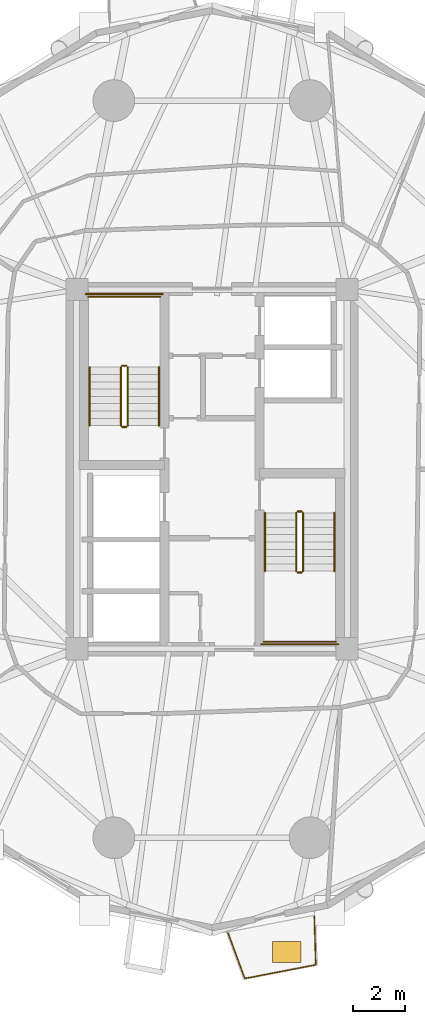
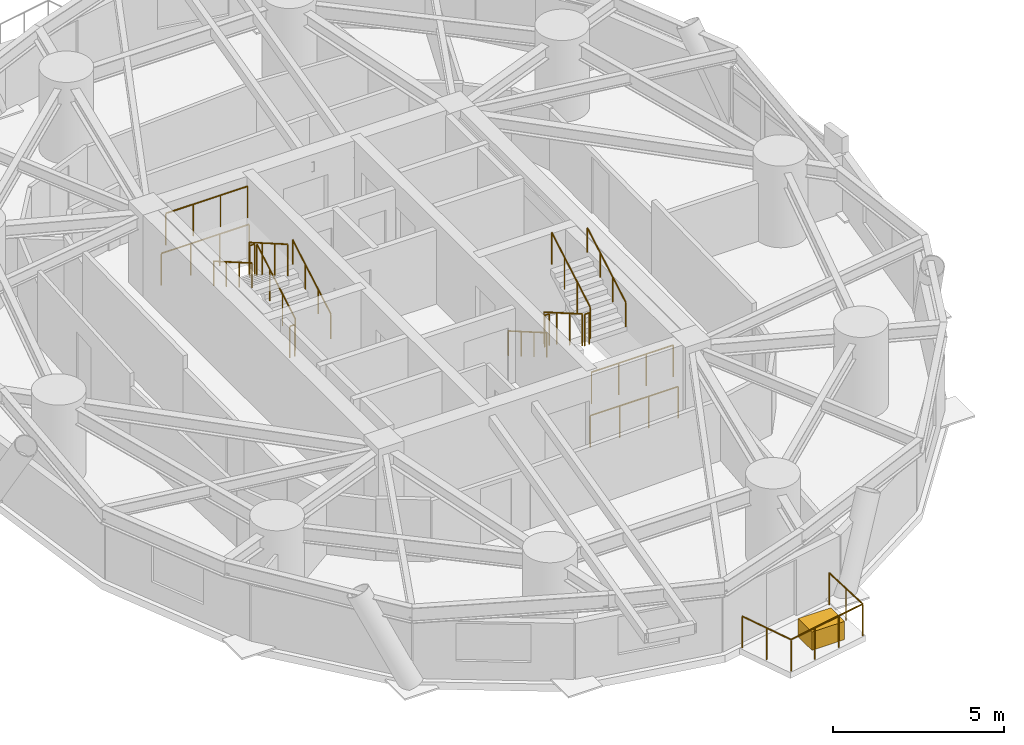
# One storey, part 16 of 18: 17 railings, 1 covering.
"""IFC4 building model written with IfcOpenShell, lengths in metres."""

import ifcopenshell
import ifcopenshell.guid

model = None  # the IFC model being written
_history = None  # IfcOwnerHistory: only IFC2X3 demands one
_inside = {}  # id of a spatial element -> (the spatial element, [elements in it])
_under = {}  # id of a project, library or spatial element -> (it, [spatial elements below it])
_declared = {}  # id of a project -> (the project, [libraries it declares])
_typed = {}  # id of a type object -> (the type object, [elements of that type])
_made_of = {}  # id of a material, layer set ... -> (it, [elements and type objects made of it])


def new_model(schema):
    """Start an empty IFC model of exactly this schema.

    Asked for "IFC4X3", IfcOpenShell would pick the latest addendum, in which some entities
    have other attributes; the version numbers below select the first issue.
    IFC2X3 requires an IfcOwnerHistory on every rooted entity: one is made here for all.
    """
    global model, _history
    if schema == "IFC4X3":
        model = ifcopenshell.file(schema_version=(4, 3, 0, 0))
    else:
        model = ifcopenshell.file(schema=schema)
    _inside.clear()
    _under.clear()
    _declared.clear()
    _typed.clear()
    _made_of.clear()
    _history = None
    if model.schema == "IFC2X3":
        org = make("IfcOrganization", Name="unknown")
        user = make(
            "IfcPersonAndOrganization",
            ThePerson=make("IfcPerson", FamilyName="unknown"),
            TheOrganization=org,
        )
        app = make(
            "IfcApplication",
            ApplicationDeveloper=org,
            Version="unknown",
            ApplicationFullName="unknown",
            ApplicationIdentifier="unknown",
        )
        _history = make(
            "IfcOwnerHistory",
            OwningUser=user,
            OwningApplication=app,
            ChangeAction="ADDED",
            CreationDate=0,
        )
    return model


def make(cls, **values):
    """One entity of the class cls with the attributes given. An attribute that is None is left unset."""
    return model.create_entity(
        cls, **{name: value for name, value in values.items() if value is not None}
    )


def rooted(cls, **values):
    """An entity with a GlobalId (a new one), such as an element, a storey or a relation."""
    return make(cls, GlobalId=ifcopenshell.guid.new(), OwnerHistory=_history, **values)


def si_unit(unit_type, name, prefix=None):
    """IfcSIUnit, for example si_unit("LENGTHUNIT", "METRE", prefix="MILLI")."""
    return make("IfcSIUnit", UnitType=unit_type, Prefix=prefix, Name=name)


def assignment(units):
    """IfcUnitAssignment: the units of a project."""
    return None if units is None else make("IfcUnitAssignment", Units=units)


def point(xyz):
    """IfcCartesianPoint."""
    return None if xyz is None else make("IfcCartesianPoint", Coordinates=xyz)


def direction(xyz):
    """IfcDirection."""
    return None if xyz is None else make("IfcDirection", DirectionRatios=xyz)


def frame(location, z_axis=None, x_axis=None):
    """IfcAxis2Placement3D, a coordinate frame: its origin and axes. An axis left out is left unset."""
    return make(
        "IfcAxis2Placement3D",
        Location=point(location),
        Axis=direction(z_axis),
        RefDirection=direction(x_axis),
    )


def frame_2d(location, x_axis=None):
    """IfcAxis2Placement2D, a coordinate frame in the plane: its origin and x axis."""
    return make(
        "IfcAxis2Placement2D", Location=point(location), RefDirection=direction(x_axis)
    )


def origin():
    """The frame at (0, 0, 0) with its axes left unset."""
    return frame((0.0, 0.0, 0.0))


def origin_2d():
    """The frame at (0, 0) in the plane with its x axis left unset."""
    return frame_2d((0.0, 0.0))


def place(relative_to, where):
    """IfcLocalPlacement: puts the frame where relative to a parent placement (None: the world)."""
    return make(
        "IfcLocalPlacement", PlacementRelTo=relative_to, RelativePlacement=where
    )


def context(
    kind, dimensions, precision=None, world=None, true_north=None, identifier=None
):
    """IfcGeometricRepresentationContext, for example the 3D "Model" context."""
    return make(
        "IfcGeometricRepresentationContext",
        ContextIdentifier=identifier,
        ContextType=kind,
        CoordinateSpaceDimension=dimensions,
        Precision=precision,
        WorldCoordinateSystem=world,
        TrueNorth=true_north,
    )


def subcontext(parent, identifier, kind, view, scale=None):
    """IfcGeometricRepresentationSubContext, for example "Body" below "Model"."""
    return make(
        "IfcGeometricRepresentationSubContext",
        ContextIdentifier=identifier,
        ContextType=kind,
        ParentContext=parent,
        TargetScale=scale,
        TargetView=view,
    )


def project(units=None, contexts=None):
    """IfcProject with its units and contexts."""
    return rooted(
        "IfcProject",
        Name="project",
        RepresentationContexts=contexts,
        UnitsInContext=assignment(units),
    )


def spatial(cls, under=None, at=None, **own):
    """A site, building, storey or space (cls), placed at a placement, below another one or the project."""
    s = rooted(cls, ObjectPlacement=at, **own)
    if under is not None:
        _under.setdefault(under.id(), (under, []))[1].append(s)
    return s


def profile(cls, at=None, kind="AREA", **sizes):
    """A parametric profile (cls). Its sizes go by their IFC names, for example OverallWidth=200.0."""
    return make(cls, ProfileType=kind, Position=at, **sizes)


def rectangle(**sizes):
    """IfcRectangleProfileDef."""
    return profile("IfcRectangleProfileDef", **sizes)


def circle(**sizes):
    """IfcCircleProfileDef."""
    return profile("IfcCircleProfileDef", **sizes)


def extrude(swept, where, along, depth):
    """IfcExtrudedAreaSolid: the profile swept, set in the frame where, extruded along a direction by depth."""
    return make(
        "IfcExtrudedAreaSolid",
        SweptArea=swept,
        Position=where,
        ExtrudedDirection=direction(along),
        Depth=depth,
    )


def shape(context_of_items, identifier, shape_type, items):
    """IfcShapeRepresentation: the items that make up one representation, for example the "Body"."""
    return make(
        "IfcShapeRepresentation",
        ContextOfItems=context_of_items,
        RepresentationIdentifier=identifier,
        RepresentationType=shape_type,
        Items=items,
    )


def source(mapping_origin, context_of_items, identifier, shape_type, items):
    """IfcRepresentationMap: a shape defined once, which mapped items show again and again."""
    return make(
        "IfcRepresentationMap",
        MappingOrigin=mapping_origin,
        MappedRepresentation=shape(context_of_items, identifier, shape_type, items),
    )


def transform(
    local_origin,
    x_axis=None,
    y_axis=None,
    z_axis=None,
    scale=None,
    scale2=None,
    scale3=None,
    uniform=True,
):
    """IfcCartesianTransformationOperator3D, or its non-uniform kind. x_axis, y_axis, z_axis: its Axis1, 2, 3."""
    if uniform:
        return make(
            "IfcCartesianTransformationOperator3D",
            Axis1=direction(x_axis),
            Axis2=direction(y_axis),
            LocalOrigin=point(local_origin),
            Scale=scale,
            Axis3=direction(z_axis),
        )
    return make(
        "IfcCartesianTransformationOperator3DnonUniform",
        Axis1=direction(x_axis),
        Axis2=direction(y_axis),
        LocalOrigin=point(local_origin),
        Scale=scale,
        Axis3=direction(z_axis),
        Scale2=scale2,
        Scale3=scale3,
    )


def mapped(mapping_source, mapping_target):
    """IfcMappedItem: shows the shape of a source again, moved by a transform."""
    return make(
        "IfcMappedItem", MappingSource=mapping_source, MappingTarget=mapping_target
    )


def material(Name=None, Category=None):
    """IfcMaterial."""
    return make("IfcMaterial", Name=Name, Category=Category)


def layer(
    of_material, thickness, ventilated=None, Name=None, Category=None, Priority=None
):
    """IfcMaterialLayer: one layer of a wall or slab, of a material (None: an air gap)."""
    return make(
        "IfcMaterialLayer",
        Material=of_material,
        LayerThickness=thickness,
        IsVentilated=ventilated,
        Name=Name,
        Category=Category,
        Priority=Priority,
    )


def layer_set(layers, Name=None):
    """IfcMaterialLayerSet."""
    return make("IfcMaterialLayerSet", MaterialLayers=layers, LayerSetName=Name)


def made_of(thing, what):
    """Note that an element or type object is made of a material, layer set ...; save() writes the relation."""
    if what is not None:
        _made_of.setdefault(what.id(), (what, []))[1].append(thing)
    return thing


def type_object(cls, material=None, **own):
    """A type object (cls), such as IfcWallType, which elements share."""
    return made_of(rooted(cls, **own), material)


def element(
    cls,
    number,
    at=None,
    inside=None,
    cuts=None,
    type_object=None,
    material=None,
    context=None,
    identifier="Body",
    shape_type=None,
    held_by="IfcProductDefinitionShape",
    body=None,
    shapes=None,
    **own,
):
    """One element of the class cls, such as IfcWall. Its Tag is "e" and its number.

    at: its placement. inside: the storey or other place that contains it. cuts: it is an
    opening in that element (IfcRelVoidsElement). A single representation is given by context,
    identifier, shape_type and body (its items); several are given by shapes. held_by: the class
    of the entity that holds the representations. save() writes the other relations.
    """
    e = rooted(cls, Tag="e%d" % number, ObjectPlacement=at, **own)
    if body is not None:
        shapes = [shape(context, identifier, shape_type, body)]
    if shapes is not None:
        e.Representation = make(held_by, Representations=shapes)
    if inside is not None:
        _inside.setdefault(inside.id(), (inside, []))[1].append(e)
    if cuts is not None:
        rooted(
            "IfcRelVoidsElement", RelatingBuildingElement=cuts, RelatedOpeningElement=e
        )
    if type_object is not None:
        _typed.setdefault(type_object.id(), (type_object, []))[1].append(e)
    return made_of(e, material)


def aggregate(whole, parts):
    """IfcRelAggregates: a whole, such as a stair, and the parts it consists of."""
    return rooted("IfcRelAggregates", RelatingObject=whole, RelatedObjects=parts)


def save(model, path):
    """Write the relations noted so far, then the file.

    IfcRelAggregates (storeys below a building ...), IfcRelContainedInSpatialStructure (elements
    in a storey), IfcRelDefinesByType, IfcRelAssociatesMaterial and IfcRelDeclares: one each for
    every whole, place, type object, material and project.
    """
    for whole, parts in _under.values():
        aggregate(whole, parts)
    for where, things in _inside.values():
        rooted(
            "IfcRelContainedInSpatialStructure",
            RelatedElements=things,
            RelatingStructure=where,
        )
    for kind, things in _typed.values():
        rooted("IfcRelDefinesByType", RelatedObjects=things, RelatingType=kind)
    for what, things in _made_of.values():
        rooted("IfcRelAssociatesMaterial", RelatedObjects=things, RelatingMaterial=what)
    for by, libraries in _declared.values():
        rooted("IfcRelDeclares", RelatingContext=by, RelatedDefinitions=libraries)
    model.write(path)


model = new_model("IFC4")

# Units and contexts
model_context = context("Model", 3, precision=1e-05, world=origin(), true_north=direction((0.0, 1.0)))
body_context = subcontext(model_context, "Body", "Model", "MODEL_VIEW")
ifc_project = project(units=[si_unit("LENGTHUNIT", "METRE"), si_unit("AREAUNIT", "SQUARE_METRE"), si_unit("VOLUMEUNIT", "CUBIC_METRE"), si_unit("PLANEANGLEUNIT", "RADIAN"), si_unit("MASSUNIT", "GRAM", prefix="KILO")], contexts=[model_context])

# Site, building, storey
site_placement = place(None, origin())
site = spatial("IfcSite", under=ifc_project, at=site_placement, CompositionType="ELEMENT")
building_placement = place(site_placement, origin())
building = spatial("IfcBuilding", under=site, at=building_placement, Name="Cununo Teusaquillo Station Towers", CompositionType="ELEMENT")
storey_placement = place(building_placement, frame((0.0, 0.0, 22.0)))
storey = spatial("IfcBuildingStorey", under=building, at=storey_placement, Name="L05", CompositionType="ELEMENT", Elevation=22.0)

# Railings
ifc_material_1 = material(Name="Anodised dark bronze aluminium EN AW-6063-T6", Category="aluminium")
railing_type_1 = type_object("IfcRailingType", Name="RL-EXT-GUARD", PredefinedType="GUARDRAIL", material=ifc_material_1)
railing_1_placement = place(storey_placement, frame((20.42041015625, 7.36328125, 0.0)))
element("IfcRailing", 1, at=railing_1_placement, inside=storey, type_object=railing_type_1, Name="L05 Tower A Balcony Guardrail C15", PredefinedType="GUARDRAIL", context=body_context, shape_type="SweptSolid", body=[
    extrude(circle(Radius=0.02392578125, at=origin_2d()), frame((0.0, 0.0, 1.1259765625), z_axis=(0.030512102658, -0.999534397403, 0.0), x_axis=(0.999534397403, 0.030512102658, 0.0)), (0.0, 0.0, 1.0), 1.8564453125),
    extrude(circle(Radius=0.02392578125, at=origin_2d()), frame((0.056640625, -1.85546875, 1.1259765625), z_axis=(-0.981830711399, -0.189758936954, 0.0), x_axis=(0.189758936954, -0.981830711399, 0.0)), (0.0, 0.0, 1.0), 2.771240234375),
    extrude(circle(Radius=0.02392578125, at=origin_2d()), frame((-2.664306640625, -2.38134765625, 1.1259765625), z_axis=(-0.344138729678, 0.938918811578, 0.0), x_axis=(-0.938918811578, -0.344138729678, 0.0)), (0.0, 0.0, 1.0), 1.8564453125),
    extrude(circle(Radius=0.02099609375, at=origin_2d()), origin(), (0.0, 0.0, 1.0), 1.101806640625),
    extrude(circle(Radius=0.02099609375, at=origin_2d()), frame((0.0283203125, -0.927734375, 0.0)), (0.0, 0.0, 1.0), 1.101806640625),
    extrude(circle(Radius=0.02099609375, at=origin_2d()), frame((0.056640625, -1.85546875, 0.0)), (0.0, 0.0, 1.0), 1.101806640625),
    extrude(circle(Radius=0.02099609375, at=origin_2d()), frame((-0.850341796875, -2.03076171875, 0.0)), (0.0, 0.0, 1.0), 1.101806640625),
    extrude(circle(Radius=0.02099609375, at=origin_2d()), frame((-1.75732421875, -2.2060546875, 0.0)), (0.0, 0.0, 1.0), 1.101806640625),
    extrude(circle(Radius=0.02099609375, at=origin_2d()), frame((-2.664306640625, -2.38134765625, 0.0)), (0.0, 0.0, 1.0), 1.101806640625),
    extrude(circle(Radius=0.02099609375, at=origin_2d()), frame((-2.98388671875, -1.509765625, 0.0)), (0.0, 0.0, 1.0), 1.101806640625),
    extrude(circle(Radius=0.02099609375, at=origin_2d()), frame((-3.30322265625, -0.63818359375, 0.0)), (0.0, 0.0, 1.0), 1.101806640625),
])
ifc_material_2 = material(Name="Steel EN 10025-2 S355J2", Category="steel")
railing_type_2 = type_object("IfcRailingType", Name="RL-INT-GUARD", PredefinedType="GUARDRAIL", material=ifc_material_2)
railing_2_placement = place(storey_placement, frame((13.27001953125, 26.169921875, 0.16162109375)))
element("IfcRailing", 2, at=railing_2_placement, inside=storey, type_object=railing_type_2, Name="L05 ST-T1-1 stair guard 1", PredefinedType="GUARDRAIL", context=body_context, shape_type="SweptSolid", body=[
    extrude(circle(Radius=0.02392578125, at=origin_2d()), frame((0.0, 0.0, 1.1259765625), z_axis=(0.0, 0.865992244559, 0.500057429065), x_axis=(-1.0, 0.0, 0.0)), (0.0, 0.0, 1.0), 2.586669921875),
    extrude(circle(Radius=0.02099609375, at=origin_2d()), origin(), (0.0, 0.0, 1.0), 1.101806640625),
    extrude(circle(Radius=0.02099609375, at=origin_2d()), frame((0.0, 0.74658203125, 0.43115234375)), (0.0, 0.0, 1.0), 1.101806640625),
    extrude(circle(Radius=0.02099609375, at=origin_2d()), frame((0.0, 1.493408203125, 0.8623046875)), (0.0, 0.0, 1.0), 1.101806640625),
    extrude(circle(Radius=0.02099609375, at=origin_2d()), frame((0.0, 2.239990234375, 1.29345703125)), (0.0, 0.0, 1.0), 1.101806640625),
])
railing_3_placement = place(storey_placement, frame((13.219970703125, 28.4599609375, 1.455078125)))
element("IfcRailing", 3, at=railing_3_placement, inside=storey, type_object=railing_type_2, Name="L05 ST-T1-1 stair guard 2", PredefinedType="GUARDRAIL", context=body_context, shape_type="SweptSolid", body=[
    extrude(circle(Radius=0.02392578125, at=origin_2d()), frame((0.0, 0.0, 1.1259765625), z_axis=(-1.0, 0.0, 0.0), x_axis=(0.0, -1.0, 0.0)), (0.0, 0.0, 1.0), 0.159912109375),
    extrude(circle(Radius=0.02099609375, at=origin_2d()), origin(), (0.0, 0.0, 1.0), 1.101806640625),
    extrude(circle(Radius=0.02099609375, at=origin_2d()), frame((-0.159912109375, 0.0, 0.0)), (0.0, 0.0, 1.0), 1.101806640625),
])
railing_4_placement = place(storey_placement, frame((14.52001953125, 31.110107421875, 1.455078125)))
element("IfcRailing", 4, at=railing_4_placement, inside=storey, type_object=railing_type_2, Name="L05 ST-T1-1 stair guard 3", PredefinedType="GUARDRAIL", context=body_context, shape_type="SweptSolid", body=[
    extrude(circle(Radius=0.02392578125, at=origin_2d()), frame((0.0, 0.0, 1.1259765625), z_axis=(-1.0, 0.0, 0.0), x_axis=(0.0, -1.0, 0.0)), (0.0, 0.0, 1.0), 2.760009765625),
    extrude(circle(Radius=0.02099609375, at=origin_2d()), origin(), (0.0, 0.0, 1.0), 1.101806640625),
    extrude(circle(Radius=0.02099609375, at=origin_2d()), frame((-0.919921875, 0.0, 0.0)), (0.0, 0.0, 1.0), 1.101806640625),
    extrude(circle(Radius=0.02099609375, at=origin_2d()), frame((-1.840087890625, 0.0, 0.0)), (0.0, 0.0, 1.0), 1.101806640625),
    extrude(circle(Radius=0.02099609375, at=origin_2d()), frame((-2.760009765625, 0.0, 0.0)), (0.0, 0.0, 1.0), 1.101806640625),
])
railing_5_placement = place(storey_placement, frame((13.010009765625, 28.409912109375, 1.61669921875)))
element("IfcRailing", 5, at=railing_5_placement, inside=storey, type_object=railing_type_2, Name="L05 ST-T1-1 stair guard 4", PredefinedType="GUARDRAIL", context=body_context, shape_type="SweptSolid", body=[
    extrude(circle(Radius=0.02392578125, at=origin_2d()), frame((0.0, 0.0, 1.1259765625), z_axis=(0.0, -0.866033117094, 0.499986639918), x_axis=(1.0, 0.0, 0.0)), (0.0, 0.0, 1.0), 2.58642578125),
    extrude(circle(Radius=0.02099609375, at=origin_2d()), origin(), (0.0, 0.0, 1.0), 1.101806640625),
    extrude(circle(Radius=0.02099609375, at=origin_2d()), frame((0.0, -0.74658203125, 0.43115234375)), (0.0, 0.0, 1.0), 1.101806640625),
    extrude(circle(Radius=0.02099609375, at=origin_2d()), frame((0.0, -1.493408203125, 0.862060546875)), (0.0, 0.0, 1.0), 1.101806640625),
    extrude(circle(Radius=0.02099609375, at=origin_2d()), frame((0.0, -2.239990234375, 1.293212890625)), (0.0, 0.0, 1.0), 1.101806640625),
])
railing_6_placement = place(storey_placement, frame((13.219970703125, 26.1201171875, 0.0)))
element("IfcRailing", 6, at=railing_6_placement, inside=storey, type_object=railing_type_2, Name="L05 ST-T1-1 stair guard 5", PredefinedType="GUARDRAIL", context=body_context, shape_type="SweptSolid", body=[
    extrude(circle(Radius=0.02392578125, at=origin_2d()), frame((0.0, 0.0, 1.1259765625), z_axis=(-1.0, 0.0, 0.0), x_axis=(0.0, -1.0, 0.0)), (0.0, 0.0, 1.0), 0.159912109375),
    extrude(circle(Radius=0.02099609375, at=origin_2d()), origin(), (0.0, 0.0, 1.0), 1.101806640625),
    extrude(circle(Radius=0.02099609375, at=origin_2d()), frame((-0.159912109375, 0.0, 0.0)), (0.0, 0.0, 1.0), 1.101806640625),
])
railing_7_placement = place(storey_placement, frame((14.6201171875, 31.2099609375, 0.0)))
element("IfcRailing", 7, at=railing_7_placement, inside=storey, type_object=railing_type_2, Name="L05 ST-T1-1 stair guard 6", PredefinedType="GUARDRAIL", context=body_context, shape_type="SweptSolid", body=[
    extrude(circle(Radius=0.02392578125, at=origin_2d()), frame((0.0, 0.0, 1.1259765625), z_axis=(-1.0, 0.0, 0.0), x_axis=(0.0, -1.0, 0.0)), (0.0, 0.0, 1.0), 2.960205078125),
    extrude(circle(Radius=0.02099609375, at=origin_2d()), origin(), (0.0, 0.0, 1.0), 1.101806640625),
    extrude(circle(Radius=0.02099609375, at=origin_2d()), frame((-0.98681640625, 0.0, 0.0)), (0.0, 0.0, 1.0), 1.101806640625),
    extrude(circle(Radius=0.02099609375, at=origin_2d()), frame((-1.973388671875, 0.0, 0.0)), (0.0, 0.0, 1.0), 1.101806640625),
    extrude(circle(Radius=0.02099609375, at=origin_2d()), frame((-2.960205078125, 0.0, 0.0)), (0.0, 0.0, 1.0), 1.101806640625),
])
railing_8_placement = place(storey_placement, frame((19.72998046875, 22.830078125, 0.16162109375)))
element("IfcRailing", 8, at=railing_8_placement, inside=storey, type_object=railing_type_2, Name="L05 ST-T1-2 stair guard 1", PredefinedType="GUARDRAIL", context=body_context, shape_type="SweptSolid", body=[
    extrude(circle(Radius=0.02392578125, at=origin_2d()), frame((0.0, 0.0, 1.1259765625), z_axis=(0.0, -0.865992244559, 0.500057429065), x_axis=(1.0, 0.0, 0.0)), (0.0, 0.0, 1.0), 2.586669921875),
    extrude(circle(Radius=0.02099609375, at=origin_2d()), origin(), (0.0, 0.0, 1.0), 1.101806640625),
    extrude(circle(Radius=0.02099609375, at=origin_2d()), frame((0.0, -0.74658203125, 0.43115234375)), (0.0, 0.0, 1.0), 1.101806640625),
    extrude(circle(Radius=0.02099609375, at=origin_2d()), frame((0.0, -1.493408203125, 0.8623046875)), (0.0, 0.0, 1.0), 1.101806640625),
    extrude(circle(Radius=0.02099609375, at=origin_2d()), frame((0.0, -2.239990234375, 1.29345703125)), (0.0, 0.0, 1.0), 1.101806640625),
])
railing_9_placement = place(storey_placement, frame((19.780029296875, 20.5400390625, 1.455078125)))
element("IfcRailing", 9, at=railing_9_placement, inside=storey, type_object=railing_type_2, Name="L05 ST-T1-2 stair guard 2", PredefinedType="GUARDRAIL", context=body_context, shape_type="SweptSolid", body=[
    extrude(circle(Radius=0.02392578125, at=origin_2d()), frame((0.0, 0.0, 1.1259765625), z_axis=(1.0, 0.0, 0.0), x_axis=(0.0, 1.0, 0.0)), (0.0, 0.0, 1.0), 0.159912109375),
    extrude(circle(Radius=0.02099609375, at=origin_2d()), origin(), (0.0, 0.0, 1.0), 1.101806640625),
    extrude(circle(Radius=0.02099609375, at=origin_2d()), frame((0.159912109375, 0.0, 0.0)), (0.0, 0.0, 1.0), 1.101806640625),
])
railing_10_placement = place(storey_placement, frame((18.47998046875, 17.889892578125, 1.455078125)))
element("IfcRailing", 10, at=railing_10_placement, inside=storey, type_object=railing_type_2, Name="L05 ST-T1-2 stair guard 3", PredefinedType="GUARDRAIL", context=body_context, shape_type="SweptSolid", body=[
    extrude(circle(Radius=0.02392578125, at=origin_2d()), frame((0.0, 0.0, 1.1259765625), z_axis=(1.0, 0.0, 0.0), x_axis=(0.0, 1.0, 0.0)), (0.0, 0.0, 1.0), 2.760009765625),
    extrude(circle(Radius=0.02099609375, at=origin_2d()), origin(), (0.0, 0.0, 1.0), 1.101806640625),
    extrude(circle(Radius=0.02099609375, at=origin_2d()), frame((0.919921875, 0.0, 0.0)), (0.0, 0.0, 1.0), 1.101806640625),
    extrude(circle(Radius=0.02099609375, at=origin_2d()), frame((1.840087890625, 0.0, 0.0)), (0.0, 0.0, 1.0), 1.101806640625),
    extrude(circle(Radius=0.02099609375, at=origin_2d()), frame((2.760009765625, 0.0, 0.0)), (0.0, 0.0, 1.0), 1.101806640625),
])
railing_11_placement = place(storey_placement, frame((19.989990234375, 20.590087890625, 1.61669921875)))
element("IfcRailing", 11, at=railing_11_placement, inside=storey, type_object=railing_type_2, Name="L05 ST-T1-2 stair guard 4", PredefinedType="GUARDRAIL", context=body_context, shape_type="SweptSolid", body=[
    extrude(circle(Radius=0.02392578125, at=origin_2d()), frame((0.0, 0.0, 1.1259765625), z_axis=(0.0, 0.866033117094, 0.499986639918), x_axis=(-1.0, 0.0, 0.0)), (0.0, 0.0, 1.0), 2.58642578125),
    extrude(circle(Radius=0.02099609375, at=origin_2d()), origin(), (0.0, 0.0, 1.0), 1.101806640625),
    extrude(circle(Radius=0.02099609375, at=origin_2d()), frame((0.0, 0.74658203125, 0.43115234375)), (0.0, 0.0, 1.0), 1.101806640625),
    extrude(circle(Radius=0.02099609375, at=origin_2d()), frame((0.0, 1.493408203125, 0.862060546875)), (0.0, 0.0, 1.0), 1.101806640625),
    extrude(circle(Radius=0.02099609375, at=origin_2d()), frame((0.0, 2.239990234375, 1.293212890625)), (0.0, 0.0, 1.0), 1.101806640625),
])
railing_12_placement = place(storey_placement, frame((19.780029296875, 22.8798828125, 0.0)))
element("IfcRailing", 12, at=railing_12_placement, inside=storey, type_object=railing_type_2, Name="L05 ST-T1-2 stair guard 5", PredefinedType="GUARDRAIL", context=body_context, shape_type="SweptSolid", body=[
    extrude(circle(Radius=0.02392578125, at=origin_2d()), frame((0.0, 0.0, 1.1259765625), z_axis=(1.0, 0.0, 0.0), x_axis=(0.0, 1.0, 0.0)), (0.0, 0.0, 1.0), 0.159912109375),
    extrude(circle(Radius=0.02099609375, at=origin_2d()), origin(), (0.0, 0.0, 1.0), 1.101806640625),
    extrude(circle(Radius=0.02099609375, at=origin_2d()), frame((0.159912109375, 0.0, 0.0)), (0.0, 0.0, 1.0), 1.101806640625),
])
railing_13_placement = place(storey_placement, frame((18.3798828125, 17.7900390625, 0.0)))
element("IfcRailing", 13, at=railing_13_placement, inside=storey, type_object=railing_type_2, Name="L05 ST-T1-2 stair guard 6", PredefinedType="GUARDRAIL", context=body_context, shape_type="SweptSolid", body=[
    extrude(circle(Radius=0.02392578125, at=origin_2d()), frame((0.0, 0.0, 1.1259765625), z_axis=(1.0, 0.0, 0.0), x_axis=(0.0, 1.0, 0.0)), (0.0, 0.0, 1.0), 2.960205078125),
    extrude(circle(Radius=0.02099609375, at=origin_2d()), origin(), (0.0, 0.0, 1.0), 1.101806640625),
    extrude(circle(Radius=0.02099609375, at=origin_2d()), frame((0.98681640625, 0.0, 0.0)), (0.0, 0.0, 1.0), 1.101806640625),
    extrude(circle(Radius=0.02099609375, at=origin_2d()), frame((1.973388671875, 0.0, 0.0)), (0.0, 0.0, 1.0), 1.101806640625),
    extrude(circle(Radius=0.02099609375, at=origin_2d()), frame((2.960205078125, 0.0, 0.0)), (0.0, 0.0, 1.0), 1.101806640625),
])
ifc_material_3 = material(Name="Steel EN 10025-2 S355J2", Category="steel")
railing_type_3 = type_object("IfcRailingType", Name="RL-INT-HRAIL", PredefinedType="HANDRAIL", material=ifc_material_3)
railing_14_placement = place(storey_placement, frame((14.469970703125, 26.169921875, 0.16162109375)))
element("IfcRailing", 14, at=railing_14_placement, inside=storey, type_object=railing_type_3, Name="L05 ST-T1-1 stair handrail 1", PredefinedType="HANDRAIL", context=body_context, shape_type="SweptSolid", body=[
    extrude(circle(Radius=0.02392578125, at=origin_2d()), frame((0.0, 0.0, 0.8759765625), z_axis=(0.0, 0.865992244559, 0.500057429065), x_axis=(-1.0, 0.0, 0.0)), (0.0, 0.0, 1.0), 2.586669921875),
    extrude(circle(Radius=0.02099609375, at=origin_2d()), origin(), (0.0, 0.0, 1.0), 0.851806640625),
    extrude(circle(Radius=0.02099609375, at=origin_2d()), frame((0.0, 0.74658203125, 0.43115234375)), (0.0, 0.0, 1.0), 0.851806640625),
    extrude(circle(Radius=0.02099609375, at=origin_2d()), frame((0.0, 1.493408203125, 0.8623046875)), (0.0, 0.0, 1.0), 0.851806640625),
    extrude(circle(Radius=0.02099609375, at=origin_2d()), frame((0.0, 2.239990234375, 1.29345703125)), (0.0, 0.0, 1.0), 0.851806640625),
])
railing_15_placement = place(storey_placement, frame((11.81005859375, 28.409912109375, 1.61669921875)))
element("IfcRailing", 15, at=railing_15_placement, inside=storey, type_object=railing_type_3, Name="L05 ST-T1-1 stair handrail 2", PredefinedType="HANDRAIL", context=body_context, shape_type="SweptSolid", body=[
    extrude(circle(Radius=0.02392578125, at=origin_2d()), frame((0.0, 0.0, 0.8759765625), z_axis=(0.0, -0.866033117094, 0.499986639918), x_axis=(1.0, 0.0, 0.0)), (0.0, 0.0, 1.0), 2.58642578125),
    extrude(circle(Radius=0.02099609375, at=origin_2d()), origin(), (0.0, 0.0, 1.0), 0.851806640625),
    extrude(circle(Radius=0.02099609375, at=origin_2d()), frame((0.0, -0.74658203125, 0.43115234375)), (0.0, 0.0, 1.0), 0.851806640625),
    extrude(circle(Radius=0.02099609375, at=origin_2d()), frame((0.0, -1.493408203125, 0.862060546875)), (0.0, 0.0, 1.0), 0.851806640625),
    extrude(circle(Radius=0.02099609375, at=origin_2d()), frame((0.0, -2.239990234375, 1.293212890625)), (0.0, 0.0, 1.0), 0.851806640625),
])
railing_16_placement = place(storey_placement, frame((18.530029296875, 22.830078125, 0.16162109375)))
element("IfcRailing", 16, at=railing_16_placement, inside=storey, type_object=railing_type_3, Name="L05 ST-T1-2 stair handrail 1", PredefinedType="HANDRAIL", context=body_context, shape_type="SweptSolid", body=[
    extrude(circle(Radius=0.02392578125, at=origin_2d()), frame((0.0, 0.0, 0.8759765625), z_axis=(0.0, -0.865992244559, 0.500057429065), x_axis=(1.0, 0.0, 0.0)), (0.0, 0.0, 1.0), 2.586669921875),
    extrude(circle(Radius=0.02099609375, at=origin_2d()), origin(), (0.0, 0.0, 1.0), 0.851806640625),
    extrude(circle(Radius=0.02099609375, at=origin_2d()), frame((0.0, -0.74658203125, 0.43115234375)), (0.0, 0.0, 1.0), 0.851806640625),
    extrude(circle(Radius=0.02099609375, at=origin_2d()), frame((0.0, -1.493408203125, 0.8623046875)), (0.0, 0.0, 1.0), 0.851806640625),
    extrude(circle(Radius=0.02099609375, at=origin_2d()), frame((0.0, -2.239990234375, 1.29345703125)), (0.0, 0.0, 1.0), 0.851806640625),
])
railing_17_placement = place(storey_placement, frame((21.18994140625, 20.590087890625, 1.61669921875)))
element("IfcRailing", 17, at=railing_17_placement, inside=storey, type_object=railing_type_3, Name="L05 ST-T1-2 stair handrail 2", PredefinedType="HANDRAIL", context=body_context, shape_type="SweptSolid", body=[
    extrude(circle(Radius=0.02392578125, at=origin_2d()), frame((0.0, 0.0, 0.8759765625), z_axis=(0.0, 0.866033117094, 0.499986639918), x_axis=(-1.0, 0.0, 0.0)), (0.0, 0.0, 1.0), 2.58642578125),
    extrude(circle(Radius=0.02099609375, at=origin_2d()), origin(), (0.0, 0.0, 1.0), 0.851806640625),
    extrude(circle(Radius=0.02099609375, at=origin_2d()), frame((0.0, 0.74658203125, 0.43115234375)), (0.0, 0.0, 1.0), 0.851806640625),
    extrude(circle(Radius=0.02099609375, at=origin_2d()), frame((0.0, 1.493408203125, 0.862060546875)), (0.0, 0.0, 1.0), 0.851806640625),
    extrude(circle(Radius=0.02099609375, at=origin_2d()), frame((0.0, 2.239990234375, 1.293212890625)), (0.0, 0.0, 1.0), 0.851806640625),
])

# Covering
ifc_material_4 = material(Name="Architectural GRC planter shell and engineered root-zone substrate", Category="concrete")
ifc_layer = layer(ifc_material_4, 0.64990234375)
ifc_layer_set = layer_set([ifc_layer], Name="Architectural GRC planter shell and engineered root-zone substrate")
covering_type = type_object("IfcCoveringType", Name="COV-TREE-PLANTER", PredefinedType="CLADDING", material=ifc_layer_set)
shared_shape = source(origin(), body_context, "Body", "SweptSolid", [
    extrude(rectangle(XDim=1.10009765625, YDim=0.800048828125, at=origin_2d()), origin(), (0.0, 0.0, 1.0), 0.64990234375),
])
covering_placement = place(storey_placement, frame((19.36376953125, 5.994873046875, 0.0), z_axis=(0.0, 0.0, 1.0), x_axis=(1.0, 0.0, 0.0)))
element("IfcCovering", 18, at=covering_placement, inside=storey, type_object=covering_type, Name="L05 Tower A Balcony Tree PLANTER C15", PredefinedType="CLADDING", context=body_context, shape_type="MappedRepresentation", body=[
    mapped(shared_shape, transform((0.0, 0.0, 0.0), x_axis=(1.0, 0.0, 0.0), y_axis=(0.0, 1.0, 0.0), z_axis=(0.0, 0.0, 1.0), scale=1.0)),
])

save(model, "model.ifc")
